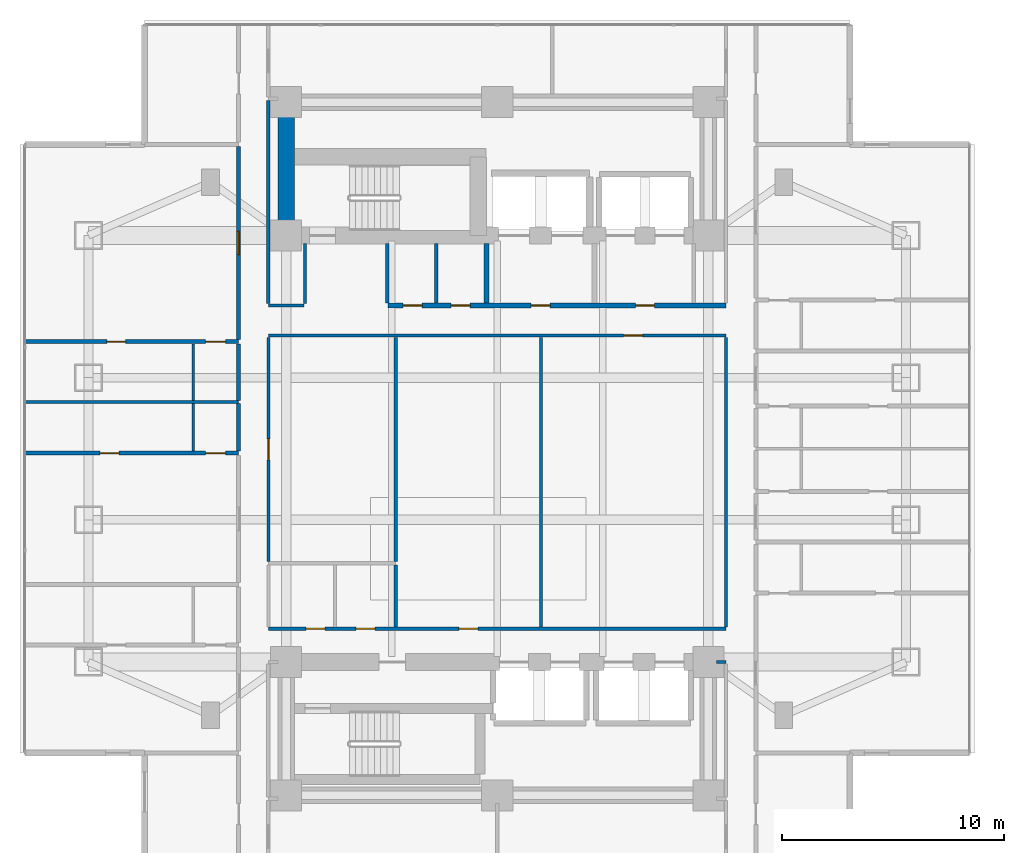
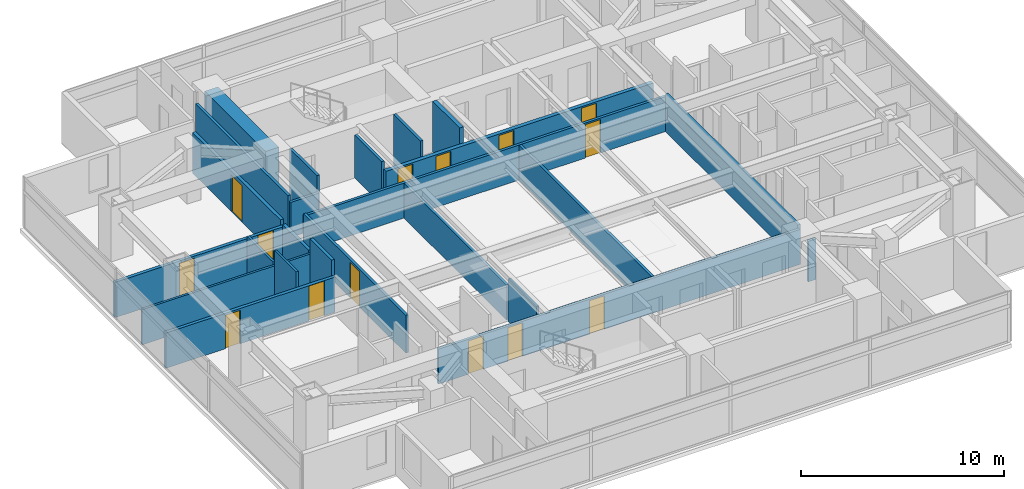
# One storey, part 13 of 26: 24 walls, 14 doors, 14 openings.
"""IFC4 building model written with IfcOpenShell, lengths in metres."""

from ifc_helpers import new_model, si_unit, direction, frame, frame_2d, origin, place, context, subcontext, project, spatial, rectangle, extrude, material, layer, layer_set, type_object, element, fill, save


model = new_model("IFC4")

# Units and contexts
model_context = context("Model", 3, precision=1e-05, world=origin(), true_north=direction((0.0, 1.0)))
body_context = subcontext(model_context, "Body", "Model", "MODEL_VIEW")
ifc_project = project(units=[si_unit("LENGTHUNIT", "METRE"), si_unit("AREAUNIT", "SQUARE_METRE"), si_unit("VOLUMEUNIT", "CUBIC_METRE"), si_unit("PLANEANGLEUNIT", "RADIAN"), si_unit("MASSUNIT", "GRAM", prefix="KILO")], contexts=[model_context])

# Site, building, storey
site_placement = place(None, origin())
site = spatial("IfcSite", under=ifc_project, at=site_placement, CompositionType="ELEMENT")
building_placement = place(site_placement, origin())
building = spatial("IfcBuilding", under=site, at=building_placement, Name="Mirazonda Arch Towers", CompositionType="ELEMENT")
storey_placement = place(building_placement, frame((0.0, 0.0, 25.699951171875)))
storey = spatial("IfcBuildingStorey", under=building, at=storey_placement, Name="L06", CompositionType="ELEMENT", Elevation=25.699951171875)

# Wall
ifc_material_1 = material(Name="Concrete C60/75", Category="concrete")
ifc_layer_1 = layer(ifc_material_1, 0.75, Name="WALL-CORE-750")
ifc_layer_set_1 = layer_set([ifc_layer_1], Name="Concrete C60/75")
wall_type_1 = type_object("IfcWallType", Name="WALL-CORE-750", PredefinedType="SHEAR", material=ifc_layer_set_1)
wall_1_placement = place(storey_placement, frame((11.0, 37.60009765625, 0.0), z_axis=(0.0, 0.0, 1.0), x_axis=(0.0, 1.0, 0.0)))
element("IfcWall", 1, at=wall_1_placement, inside=storey, type_object=wall_type_1, Name="L06 T1N-W Core Shear Wall", PredefinedType="SHEAR", context=body_context, shape_type="SweptSolid", body=[
    extrude(rectangle(XDim=6.0, YDim=0.75, at=frame_2d((3.0, 0.0))), origin(), (0.0, 0.0, 1.0), 3.06005859375),
])

# Wall, openings, doors
ifc_material_2 = material(Name="Concrete C40/50", Category="concrete")
ifc_layer_2 = layer(ifc_material_2, 0.219970703125, Name="WALL-FFL-220")
ifc_layer_set_2 = layer_set([ifc_layer_2], Name="Concrete C40/50")
wall_type_2 = type_object("IfcWallType", Name="WALL-FFL-220", PredefinedType="SOLIDWALL", material=ifc_layer_set_2)
wall_2_placement = place(storey_placement, frame((15.590087890625, 34.449951171875, 0.0), z_axis=(0.0, 0.0, 1.0), x_axis=(1.0, 0.0, 0.0)))
wall_2 = element("IfcWall", 2, at=wall_2_placement, inside=storey, type_object=wall_type_2, Name="L06 Interior Partition 047", PredefinedType="SOLIDWALL", context=body_context, shape_type="SweptSolid", body=[
    extrude(rectangle(XDim=15.2099609375, YDim=0.219970703125, at=frame_2d((7.60498046875, 0.0))), origin(), (0.0, 0.0, 1.0), 2.10400390625),
])
opening_1_placement = place(wall_2_placement, frame((6.43505859375, 0.0, 0.0)))
opening_1 = element("IfcOpeningElement", 3, at=opening_1_placement, cuts=wall_2, Name="Opening DR-128", PredefinedType="OPENING", context=body_context, shape_type="SweptSolid", body=[
    extrude(rectangle(XDim=0.85009765625, YDim=2.010009765625, at=frame_2d((0.425048828125, 1.0048828125))), frame((0.0, 0.119873046875, 0.0), z_axis=(0.0, -1.0, 0.0), x_axis=(1.0, 0.0, 0.0)), (0.0, 0.0, 1.0), 0.239990234375),
])
opening_2_placement = place(wall_2_placement, frame((11.135009765625, 0.0, 0.0)))
opening_2 = element("IfcOpeningElement", 4, at=opening_2_placement, cuts=wall_2, Name="Opening DR-128", PredefinedType="OPENING", context=body_context, shape_type="SweptSolid", body=[
    extrude(rectangle(XDim=0.85009765625, YDim=2.010009765625, at=frame_2d((0.425048828125, 1.0048828125))), frame((0.0, 0.119873046875, 0.0), z_axis=(0.0, -1.0, 0.0), x_axis=(1.0, 0.0, 0.0)), (0.0, 0.0, 1.0), 0.239990234375),
])
opening_3_placement = place(wall_2_placement, frame((0.675048828125, 0.0, 0.0)))
opening_3 = element("IfcOpeningElement", 5, at=opening_3_placement, cuts=wall_2, Name="Opening DR-128", PredefinedType="OPENING", context=body_context, shape_type="SweptSolid", body=[
    extrude(rectangle(XDim=0.85009765625, YDim=2.010009765625, at=frame_2d((0.425048828125, 1.0048828125))), frame((0.0, 0.119873046875, 0.0), z_axis=(0.0, -1.0, 0.0), x_axis=(1.0, 0.0, 0.0)), (0.0, 0.0, 1.0), 0.239990234375),
])
opening_4_placement = place(wall_2_placement, frame((2.8349609375, 0.0, 0.0)))
opening_4 = element("IfcOpeningElement", 6, at=opening_4_placement, cuts=wall_2, Name="Opening DR-128", PredefinedType="OPENING", context=body_context, shape_type="SweptSolid", body=[
    extrude(rectangle(XDim=0.85009765625, YDim=2.010009765625, at=frame_2d((0.425048828125, 1.0048828125))), frame((0.0, 0.119873046875, 0.0), z_axis=(0.0, -1.0, 0.0), x_axis=(1.0, 0.0, 0.0)), (0.0, 0.0, 1.0), 0.239990234375),
])
ifc_material_3 = material(Name="Architectural Brushed Steel S355", Category="steel")
door_type_1 = type_object("IfcDoorType", Name="DOOR-RISER-FD60-850", OperationType="NOTDEFINED", PredefinedType="DOOR", material=ifc_material_3)
door_1_placement = place(opening_1_placement, origin())
door_1 = element("IfcDoor", 7, at=door_1_placement, inside=storey, type_object=door_type_1, Name="L06 Firefighting Lift Lobby Door", OperationType="SINGLE_SWING_RIGHT", OverallHeight=2.010009765625, OverallWidth=0.85009765625, PredefinedType="DOOR", context=body_context, shape_type="SweptSolid", body=[
    extrude(rectangle(XDim=0.85009765625, YDim=2.010009765625, at=frame_2d((0.425048828125, 1.0048828125))), frame((0.0, 0.02490234375, 0.0), z_axis=(0.0, -1.0, 0.0), x_axis=(1.0, 0.0, 0.0)), (0.0, 0.0, 1.0), 0.050048828125),
])
fill(opening_1, door_1)
door_2_placement = place(opening_2_placement, origin())
door_2 = element("IfcDoor", 8, at=door_2_placement, inside=storey, type_object=door_type_1, Name="L06 Passenger Lift Lobby North Door", OperationType="SINGLE_SWING_LEFT", OverallHeight=2.010009765625, OverallWidth=0.85009765625, PredefinedType="DOOR", context=body_context, shape_type="SweptSolid", body=[
    extrude(rectangle(XDim=0.85009765625, YDim=2.010009765625, at=frame_2d((0.425048828125, 1.0048828125))), frame((0.0, 0.02490234375, 0.0), z_axis=(0.0, -1.0, 0.0), x_axis=(1.0, 0.0, 0.0)), (0.0, 0.0, 1.0), 0.050048828125),
])
fill(opening_2, door_2)
door_3_placement = place(opening_3_placement, origin())
door_3 = element("IfcDoor", 9, at=door_3_placement, inside=storey, type_object=door_type_1, Name="L06 Electrical Room Door", OperationType="SINGLE_SWING_RIGHT", OverallHeight=2.010009765625, OverallWidth=0.85009765625, PredefinedType="DOOR", context=body_context, shape_type="SweptSolid", body=[
    extrude(rectangle(XDim=0.85009765625, YDim=2.010009765625, at=frame_2d((0.425048828125, 1.0048828125))), frame((0.0, 0.02490234375, 0.0), z_axis=(0.0, -1.0, 0.0), x_axis=(1.0, 0.0, 0.0)), (0.0, 0.0, 1.0), 0.050048828125),
])
fill(opening_3, door_3)
door_4_placement = place(opening_4_placement, origin())
door_4 = element("IfcDoor", 10, at=door_4_placement, inside=storey, type_object=door_type_1, Name="L06 Cleaners & Housekeeping Store Door", OperationType="SINGLE_SWING_LEFT", OverallHeight=2.010009765625, OverallWidth=0.85009765625, PredefinedType="DOOR", context=body_context, shape_type="SweptSolid", body=[
    extrude(rectangle(XDim=0.85009765625, YDim=2.010009765625, at=frame_2d((0.425048828125, 1.0048828125))), frame((0.0, 0.02490234375, 0.0), z_axis=(0.0, -1.0, 0.0), x_axis=(1.0, 0.0, 0.0)), (0.0, 0.0, 1.0), 0.050048828125),
])
fill(opening_4, door_4)

# Walls
wall_3_placement = place(storey_placement, frame((20.02490234375, 34.570068359375, 0.0), z_axis=(0.0, 0.0, 1.0), x_axis=(0.0, 1.0, 0.0)))
element("IfcWall", 11, at=wall_3_placement, inside=storey, type_object=wall_type_2, Name="L06 Interior Partition 087", PredefinedType="SOLIDWALL", context=body_context, shape_type="SweptSolid", body=[
    extrude(rectangle(XDim=2.659912109375, YDim=0.219970703125, at=frame_2d((1.330078125, 0.0))), origin(), (0.0, 0.0, 1.0), 3.06005859375),
])
ifc_material_4 = material(Name="Fire-Rated Gypsum Stud Partition")
ifc_layer_3 = layer(ifc_material_4, 0.14990234375, Name="WALL-PART-CORR-150")
ifc_layer_set_3 = layer_set([ifc_layer_3], Name="Fire-Rated Gypsum Stud Partition")
wall_type_3 = type_object("IfcWallType", Name="WALL-PART-CORR-150", PredefinedType="PARTITIONING", material=ifc_layer_set_3)
wall_4_placement = place(storey_placement, frame((30.3701171875, 18.39990234375, 0.0), z_axis=(0.0, 0.0, 1.0), x_axis=(1.0, 0.0, 0.0)))
element("IfcWall", 12, at=wall_4_placement, inside=storey, type_object=wall_type_3, Name="L06 Interior Partition 013", PredefinedType="PARTITIONING", context=body_context, shape_type="SweptSolid", body=[
    extrude(rectangle(XDim=0.429931640625, YDim=0.14990234375, at=frame_2d((0.21484375, 0.0))), origin(), (0.0, 0.0, 1.0), 2.43603515625),
])

# Wall, openings, doors
wall_5_placement = place(storey_placement, frame((10.199951171875, 19.89990234375, 0.0), z_axis=(0.0, 0.0, 1.0), x_axis=(1.0, 0.0, 0.0)))
wall_5 = element("IfcWall", 13, at=wall_5_placement, inside=storey, type_object=wall_type_3, Name="L06 Interior Partition 016", PredefinedType="PARTITIONING", context=body_context, shape_type="SweptSolid", body=[
    extrude(rectangle(XDim=20.60009765625, YDim=0.14990234375, at=frame_2d((10.300048828125, 0.0))), origin(), (0.0, 0.0, 1.0), 2.10400390625),
])
opening_5_placement = place(wall_5_placement, frame((1.695068359375, 0.0, 0.0)))
opening_5 = element("IfcOpeningElement", 14, at=opening_5_placement, cuts=wall_5, Name="Opening DR-128", PredefinedType="OPENING", context=body_context, shape_type="SweptSolid", body=[
    extrude(rectangle(XDim=0.85009765625, YDim=2.010009765625, at=frame_2d((0.425048828125, 1.0048828125))), frame((0.0, 0.0849609375, 0.0), z_axis=(0.0, -1.0, 0.0), x_axis=(1.0, 0.0, 0.0)), (0.0, 0.0, 1.0), 0.169921875),
])
opening_6_placement = place(wall_5_placement, frame((3.93994140625, 0.0, 0.0)))
opening_6 = element("IfcOpeningElement", 15, at=opening_6_placement, cuts=wall_5, Name="Opening DR-128", PredefinedType="OPENING", context=body_context, shape_type="SweptSolid", body=[
    extrude(rectangle(XDim=0.85009765625, YDim=2.010009765625, at=frame_2d((0.425048828125, 1.0048828125))), frame((0.0, 0.0849609375, 0.0), z_axis=(0.0, -1.0, 0.0), x_axis=(1.0, 0.0, 0.0)), (0.0, 0.0, 1.0), 0.169921875),
])
opening_7_placement = place(wall_5_placement, frame((8.576416015625, 0.0, 0.0)))
opening_7 = element("IfcOpeningElement", 16, at=opening_7_placement, cuts=wall_5, Name="Opening DR-128", PredefinedType="OPENING", context=body_context, shape_type="SweptSolid", body=[
    extrude(rectangle(XDim=0.85009765625, YDim=2.010009765625, at=frame_2d((0.425048828125, 1.0048828125))), frame((0.0, 0.0849609375, 0.0), z_axis=(0.0, -1.0, 0.0), x_axis=(1.0, 0.0, 0.0)), (0.0, 0.0, 1.0), 0.169921875),
])
door_5_placement = place(opening_5_placement, origin())
door_5 = element("IfcDoor", 17, at=door_5_placement, inside=storey, type_object=door_type_1, Name="L06 Common Accessible WC Door", OperationType="SINGLE_SWING_RIGHT", OverallHeight=2.010009765625, OverallWidth=0.85009765625, PredefinedType="DOOR", context=body_context, shape_type="SweptSolid", body=[
    extrude(rectangle(XDim=0.85009765625, YDim=2.010009765625, at=frame_2d((0.425048828125, 1.0048828125))), frame((0.0, 0.02490234375, 0.0), z_axis=(0.0, -1.0, 0.0), x_axis=(1.0, 0.0, 0.0)), (0.0, 0.0, 1.0), 0.050048828125),
])
fill(opening_5, door_5)
door_6_placement = place(opening_6_placement, origin())
door_6 = element("IfcDoor", 18, at=door_6_placement, inside=storey, type_object=door_type_1, Name="L06 L06 West Courtyard Study Door", OperationType="SINGLE_SWING_RIGHT", OverallHeight=2.010009765625, OverallWidth=0.85009765625, PredefinedType="DOOR", context=body_context, shape_type="SweptSolid", body=[
    extrude(rectangle(XDim=0.85009765625, YDim=2.010009765625, at=frame_2d((0.425048828125, 1.0048828125))), frame((0.0, 0.02490234375, 0.0), z_axis=(0.0, -1.0, 0.0), x_axis=(1.0, 0.0, 0.0)), (0.0, 0.0, 1.0), 0.050048828125),
])
fill(opening_6, door_6)
door_7_placement = place(opening_7_placement, origin())
door_7 = element("IfcDoor", 19, at=door_7_placement, inside=storey, type_object=door_type_1, Name="L06 Executive Club Lounge Door", OperationType="SINGLE_SWING_RIGHT", OverallHeight=2.010009765625, OverallWidth=0.85009765625, PredefinedType="DOOR", context=body_context, shape_type="SweptSolid", body=[
    extrude(rectangle(XDim=0.85009765625, YDim=2.010009765625, at=frame_2d((0.425048828125, 1.0048828125))), frame((0.0, 0.02490234375, 0.0), z_axis=(0.0, -1.0, 0.0), x_axis=(1.0, 0.0, 0.0)), (0.0, 0.0, 1.0), 0.050048828125),
])
fill(opening_7, door_7)

# Wall, opening, door
wall_6_placement = place(storey_placement, frame((10.199951171875, 33.10009765625, 0.0), z_axis=(0.0, 0.0, 1.0), x_axis=(1.0, 0.0, 0.0)))
wall_6 = element("IfcWall", 20, at=wall_6_placement, inside=storey, type_object=wall_type_3, Name="L06 Interior Partition 045", PredefinedType="PARTITIONING", context=body_context, shape_type="SweptSolid", body=[
    extrude(rectangle(XDim=20.60009765625, YDim=0.14990234375, at=frame_2d((10.300048828125, 0.0))), origin(), (0.0, 0.0, 1.0), 2.10400390625),
])
opening_8_placement = place(wall_6_placement, frame((15.991455078125, 0.0, 0.0)))
opening_8 = element("IfcOpeningElement", 21, at=opening_8_placement, cuts=wall_6, Name="Opening DR-128", PredefinedType="OPENING", context=body_context, shape_type="SweptSolid", body=[
    extrude(rectangle(XDim=0.85009765625, YDim=2.010009765625, at=frame_2d((0.425048828125, 1.0048828125))), frame((0.0, 0.0849609375, 0.0), z_axis=(0.0, -1.0, 0.0), x_axis=(1.0, 0.0, 0.0)), (0.0, 0.0, 1.0), 0.169921875),
])
door_8_placement = place(opening_8_placement, origin())
door_8 = element("IfcDoor", 22, at=door_8_placement, inside=storey, type_object=door_type_1, Name="L06 Business Reading Study Door", OperationType="SINGLE_SWING_LEFT", OverallHeight=2.010009765625, OverallWidth=0.85009765625, PredefinedType="DOOR", context=body_context, shape_type="SweptSolid", body=[
    extrude(rectangle(XDim=0.85009765625, YDim=2.010009765625, at=frame_2d((0.425048828125, 1.0048828125))), frame((0.0, 0.02490234375, 0.0), z_axis=(0.0, -1.0, 0.0), x_axis=(1.0, 0.0, 0.0)), (0.0, 0.0, 1.0), 0.050048828125),
])
fill(opening_8, door_8)

# Wall
wall_7_placement = place(storey_placement, frame((10.199951171875, 34.449951171875, 0.0), z_axis=(0.0, 0.0, 1.0), x_axis=(1.0, 0.0, 0.0)))
element("IfcWall", 23, at=wall_7_placement, inside=storey, type_object=wall_type_3, Name="L06 Interior Partition 046", PredefinedType="PARTITIONING", context=body_context, shape_type="SweptSolid", body=[
    extrude(rectangle(XDim=1.60009765625, YDim=0.14990234375, at=frame_2d((0.800048828125, 0.0))), origin(), (0.0, 0.0, 1.0), 2.10400390625),
])

# Wall, opening, door
wall_8_placement = place(storey_placement, frame((10.206787109375, 22.93505859375, 0.0), z_axis=(0.0, 0.0, 1.0), x_axis=(0.0, 1.0, 0.0)))
wall_8 = element("IfcWall", 24, at=wall_8_placement, inside=storey, type_object=wall_type_3, Name="L06 Interior Partition 077", PredefinedType="PARTITIONING", context=body_context, shape_type="SweptSolid", body=[
    extrude(rectangle(XDim=10.079833984375, YDim=0.14990234375, at=frame_2d((5.0400390625, 0.0))), origin(), (0.0, 0.0, 1.0), 2.279052734375),
])
opening_9_placement = place(wall_8_placement, frame((4.56494140625, 0.0, 0.0)))
opening_9 = element("IfcOpeningElement", 25, at=opening_9_placement, cuts=wall_8, Name="Opening DR-104", PredefinedType="OPENING", context=body_context, shape_type="SweptSolid", body=[
    extrude(rectangle(XDim=0.949951171875, YDim=2.14990234375, at=frame_2d((0.47509765625, 1.074951171875))), frame((0.0, 0.0849609375, 0.0), z_axis=(0.0, -1.0, 0.0), x_axis=(1.0, 0.0, 0.0)), (0.0, 0.0, 1.0), 0.169921875),
])
door_type_2 = type_object("IfcDoorType", Name="DOOR-ROOM-950", OperationType="NOTDEFINED", PredefinedType="DOOR", material=ifc_material_3)
door_9_placement = place(opening_9_placement, origin())
door_9 = element("IfcDoor", 26, at=door_9_placement, inside=storey, type_object=door_type_2, Name="L06 L06 West Courtyard Salon Door", OperationType="SINGLE_SWING_LEFT", OverallHeight=2.14990234375, OverallWidth=0.949951171875, PredefinedType="DOOR", context=body_context, shape_type="SweptSolid", body=[
    extrude(rectangle(XDim=0.949951171875, YDim=2.14990234375, at=frame_2d((0.47509765625, 1.074951171875))), frame((0.0, 0.02490234375, 0.0), z_axis=(0.0, -1.0, 0.0), x_axis=(1.0, 0.0, 0.0)), (0.0, 0.0, 1.0), 0.050048828125),
])
fill(opening_9, door_9)

# Walls
wall_9_placement = place(storey_placement, frame((10.199951171875, 34.534912109375, 0.0), z_axis=(0.0, 0.0, 1.0), x_axis=(0.0, 1.0, 0.0)))
element("IfcWall", 27, at=wall_9_placement, inside=storey, type_object=wall_type_3, Name="L06 Interior Partition 078", PredefinedType="PARTITIONING", context=body_context, shape_type="SweptSolid", body=[
    extrude(rectangle(XDim=9.130126953125, YDim=0.14990234375, at=frame_2d((4.56494140625, 0.0))), origin(), (0.0, 0.0, 1.0), 2.43603515625),
])
wall_10_placement = place(storey_placement, frame((11.85009765625, 34.534912109375, 0.0), z_axis=(0.0, 0.0, 1.0), x_axis=(0.0, 1.0, 0.0)))
element("IfcWall", 28, at=wall_10_placement, inside=storey, type_object=wall_type_3, Name="L06 Interior Partition 080", PredefinedType="PARTITIONING", context=body_context, shape_type="SweptSolid", body=[
    extrude(rectangle(XDim=2.695068359375, YDim=0.14990234375, at=frame_2d((1.34765625, 0.0))), origin(), (0.0, 0.0, 1.0), 3.06005859375),
])
wall_11_placement = place(storey_placement, frame((15.550048828125, 34.570068359375, 0.0), z_axis=(0.0, 0.0, 1.0), x_axis=(0.0, 1.0, 0.0)))
element("IfcWall", 29, at=wall_11_placement, inside=storey, type_object=wall_type_3, Name="L06 Interior Partition 082", PredefinedType="PARTITIONING", context=body_context, shape_type="SweptSolid", body=[
    extrude(rectangle(XDim=2.659912109375, YDim=0.14990234375, at=frame_2d((1.330078125, 0.0))), origin(), (0.0, 0.0, 1.0), 2.589111328125),
])
wall_12_placement = place(storey_placement, frame((15.929931640625, 19.985107421875, 0.0), z_axis=(0.0, 0.0, 1.0), x_axis=(0.0, 1.0, 0.0)))
element("IfcWall", 30, at=wall_12_placement, inside=storey, type_object=wall_type_3, Name="L06 Interior Partition 083", PredefinedType="PARTITIONING", context=body_context, shape_type="SweptSolid", body=[
    extrude(rectangle(XDim=2.77978515625, YDim=0.14990234375, at=frame_2d((1.389892578125, 0.0))), origin(), (0.0, 0.0, 1.0), 2.589111328125),
])
wall_13_placement = place(storey_placement, frame((15.929931640625, 22.93505859375, 0.0), z_axis=(0.0, 0.0, 1.0), x_axis=(0.0, 1.0, 0.0)))
element("IfcWall", 31, at=wall_13_placement, inside=storey, type_object=wall_type_3, Name="L06 Interior Partition 084", PredefinedType="PARTITIONING", context=body_context, shape_type="SweptSolid", body=[
    extrude(rectangle(XDim=10.079833984375, YDim=0.14990234375, at=frame_2d((5.0400390625, 0.0))), origin(), (0.0, 0.0, 1.0), 2.10400390625),
])
wall_14_placement = place(storey_placement, frame((17.75, 34.570068359375, 0.0), z_axis=(0.0, 0.0, 1.0), x_axis=(0.0, 1.0, 0.0)))
element("IfcWall", 32, at=wall_14_placement, inside=storey, type_object=wall_type_3, Name="L06 Interior Partition 085", PredefinedType="PARTITIONING", context=body_context, shape_type="SweptSolid", body=[
    extrude(rectangle(XDim=2.659912109375, YDim=0.14990234375, at=frame_2d((1.330078125, 0.0))), origin(), (0.0, 0.0, 1.0), 3.06005859375),
])
wall_15_placement = place(storey_placement, frame((22.472900390625, 19.985107421875, 0.0), z_axis=(0.0, 0.0, 1.0), x_axis=(0.0, 1.0, 0.0)))
element("IfcWall", 33, at=wall_15_placement, inside=storey, type_object=wall_type_3, Name="L06 Interior Partition 091", PredefinedType="PARTITIONING", context=body_context, shape_type="SweptSolid", body=[
    extrude(rectangle(XDim=13.02978515625, YDim=0.14990234375, at=frame_2d((6.514892578125, 0.0))), origin(), (0.0, 0.0, 1.0), 2.10400390625),
])
wall_16_placement = place(storey_placement, frame((30.800048828125, 19.985107421875, 0.0), z_axis=(0.0, 0.0, 1.0), x_axis=(0.0, 1.0, 0.0)))
element("IfcWall", 34, at=wall_16_placement, inside=storey, type_object=wall_type_3, Name="L06 Interior Partition 103", PredefinedType="PARTITIONING", context=body_context, shape_type="SweptSolid", body=[
    extrude(rectangle(XDim=13.02978515625, YDim=0.14990234375, at=frame_2d((6.514892578125, 0.0))), origin(), (0.0, 0.0, 1.0), 2.279052734375),
])

# Wall, openings, doors
ifc_material_5 = material(Name="Fire-Rated Gypsum Twin-Stud Assembly")
ifc_layer_4 = layer(ifc_material_5, 0.179931640625, Name="WALL-PART-DEMISE-180")
ifc_layer_set_4 = layer_set([ifc_layer_4], Name="Fire-Rated Gypsum Twin-Stud Assembly")
wall_type_4 = type_object("IfcWallType", Name="WALL-PART-DEMISE-180", PredefinedType="PARTITIONING", material=ifc_layer_set_4)
wall_17_placement = place(storey_placement, frame((-0.760009765625, 27.801025390625, 0.0), z_axis=(0.0, 0.0, 1.0), x_axis=(1.0, 0.0, 0.0)))
wall_17 = element("IfcWall", 35, at=wall_17_placement, inside=storey, type_object=wall_type_4, Name="L06 Interior Partition 033", PredefinedType="PARTITIONING", context=body_context, shape_type="SweptSolid", body=[
    extrude(rectangle(XDim=9.6201171875, YDim=0.179931640625, at=frame_2d((4.81005859375, 0.0))), origin(), (0.0, 0.0, 1.0), 2.125),
])
opening_10_placement = place(wall_17_placement, frame((3.385009765625, 0.0, 0.0)))
opening_10 = element("IfcOpeningElement", 36, at=opening_10_placement, cuts=wall_17, Name="Opening DR-128", PredefinedType="OPENING", context=body_context, shape_type="SweptSolid", body=[
    extrude(rectangle(XDim=0.85009765625, YDim=2.010009765625, at=frame_2d((0.425048828125, 1.0048828125))), frame((0.0, 0.099853515625, 0.0), z_axis=(0.0, -1.0, 0.0), x_axis=(1.0, 0.0, 0.0)), (0.0, 0.0, 1.0), 0.199951171875),
])
opening_11_placement = place(wall_17_placement, frame((8.1298828125, 0.0, 0.0)))
opening_11 = element("IfcOpeningElement", 37, at=opening_11_placement, cuts=wall_17, Name="Opening DR-120", PredefinedType="OPENING", context=body_context, shape_type="SweptSolid", body=[
    extrude(rectangle(XDim=0.89990234375, YDim=2.10009765625, at=frame_2d((0.449951171875, 1.050048828125))), frame((0.0, 0.099853515625, 0.0), z_axis=(0.0, -1.0, 0.0), x_axis=(1.0, 0.0, 0.0)), (0.0, 0.0, 1.0), 0.199951171875),
])
door_10_placement = place(opening_10_placement, origin())
door_10 = element("IfcDoor", 38, at=door_10_placement, inside=storey, type_object=door_type_1, Name="L06 Guestroom Study 2 Door", OperationType="SINGLE_SWING_LEFT", OverallHeight=2.010009765625, OverallWidth=0.85009765625, PredefinedType="DOOR", context=body_context, shape_type="SweptSolid", body=[
    extrude(rectangle(XDim=0.85009765625, YDim=2.010009765625, at=frame_2d((0.425048828125, 1.0048828125))), frame((0.0, 0.02490234375, 0.0), z_axis=(0.0, -1.0, 0.0), x_axis=(1.0, 0.0, 0.0)), (0.0, 0.0, 1.0), 0.050048828125),
])
fill(opening_10, door_10)
door_type_3 = type_object("IfcDoorType", Name="DOOR-WC-900", OperationType="NOTDEFINED", PredefinedType="DOOR", material=ifc_material_3)
door_11_placement = place(opening_11_placement, origin())
door_11 = element("IfcDoor", 39, at=door_11_placement, inside=storey, type_object=door_type_3, Name="L06 En-Suite Bathroom 2 Door", OperationType="SINGLE_SWING_RIGHT", OverallHeight=2.10009765625, OverallWidth=0.89990234375, PredefinedType="DOOR", context=body_context, shape_type="SweptSolid", body=[
    extrude(rectangle(XDim=0.89990234375, YDim=2.10009765625, at=frame_2d((0.449951171875, 1.050048828125))), frame((0.0, 0.02490234375, 0.0), z_axis=(0.0, -1.0, 0.0), x_axis=(1.0, 0.0, 0.0)), (0.0, 0.0, 1.0), 0.050048828125),
])
fill(opening_11, door_11)

wall_18_placement = place(storey_placement, frame((-0.760009765625, 32.821044921875, 0.0), z_axis=(0.0, 0.0, 1.0), x_axis=(1.0, 0.0, 0.0)))
wall_18 = element("IfcWall", 40, at=wall_18_placement, inside=storey, type_object=wall_type_4, Name="L06 Interior Partition 044", PredefinedType="PARTITIONING", context=body_context, shape_type="SweptSolid", body=[
    extrude(rectangle(XDim=9.6201171875, YDim=0.179931640625, at=frame_2d((4.81005859375, 0.0))), origin(), (0.0, 0.0, 1.0), 2.125),
])
opening_12_placement = place(wall_18_placement, frame((3.68505859375, 0.0, 0.0)))
opening_12 = element("IfcOpeningElement", 41, at=opening_12_placement, cuts=wall_18, Name="Opening DR-128", PredefinedType="OPENING", context=body_context, shape_type="SweptSolid", body=[
    extrude(rectangle(XDim=0.85009765625, YDim=2.010009765625, at=frame_2d((0.425048828125, 1.0048828125))), frame((0.0, 0.099853515625, 0.0), z_axis=(0.0, -1.0, 0.0), x_axis=(1.0, 0.0, 0.0)), (0.0, 0.0, 1.0), 0.199951171875),
])
opening_13_placement = place(wall_18_placement, frame((8.1298828125, 0.0, 0.0)))
opening_13 = element("IfcOpeningElement", 42, at=opening_13_placement, cuts=wall_18, Name="Opening DR-120", PredefinedType="OPENING", context=body_context, shape_type="SweptSolid", body=[
    extrude(rectangle(XDim=0.89990234375, YDim=2.10009765625, at=frame_2d((0.449951171875, 1.050048828125))), frame((0.0, 0.099853515625, 0.0), z_axis=(0.0, -1.0, 0.0), x_axis=(1.0, 0.0, 0.0)), (0.0, 0.0, 1.0), 0.199951171875),
])
door_12_placement = place(opening_12_placement, origin())
door_12 = element("IfcDoor", 43, at=door_12_placement, inside=storey, type_object=door_type_1, Name="L06 Suite Bedroom 3 Door", OperationType="SINGLE_SWING_RIGHT", OverallHeight=2.010009765625, OverallWidth=0.85009765625, PredefinedType="DOOR", context=body_context, shape_type="SweptSolid", body=[
    extrude(rectangle(XDim=0.85009765625, YDim=2.010009765625, at=frame_2d((0.425048828125, 1.0048828125))), frame((0.0, 0.02490234375, 0.0), z_axis=(0.0, -1.0, 0.0), x_axis=(1.0, 0.0, 0.0)), (0.0, 0.0, 1.0), 0.050048828125),
])
fill(opening_12, door_12)
door_13_placement = place(opening_13_placement, origin())
door_13 = element("IfcDoor", 44, at=door_13_placement, inside=storey, type_object=door_type_3, Name="L06 Suite En-Suite Bathroom 3 Door", OperationType="SINGLE_SWING_LEFT", OverallHeight=2.10009765625, OverallWidth=0.89990234375, PredefinedType="DOOR", context=body_context, shape_type="SweptSolid", body=[
    extrude(rectangle(XDim=0.89990234375, YDim=2.10009765625, at=frame_2d((0.449951171875, 1.050048828125))), frame((0.0, 0.02490234375, 0.0), z_axis=(0.0, -1.0, 0.0), x_axis=(1.0, 0.0, 0.0)), (0.0, 0.0, 1.0), 0.050048828125),
])
fill(opening_13, door_13)

# Walls
wall_19_placement = place(storey_placement, frame((8.860107421875, 27.90087890625, 0.0), z_axis=(0.0, 0.0, 1.0), x_axis=(0.0, 1.0, 0.0)))
element("IfcWall", 45, at=wall_19_placement, inside=storey, type_object=wall_type_4, Name="L06 Interior Partition 070", PredefinedType="PARTITIONING", context=body_context, shape_type="SweptSolid", body=[
    extrude(rectangle(XDim=2.127685546875, YDim=0.179931640625, at=frame_2d((1.06396484375, 0.0))), origin(), (0.0, 0.0, 1.0), 3.06005859375),
])
wall_20_placement = place(storey_placement, frame((8.860107421875, 30.173583984375, 0.0), z_axis=(0.0, 0.0, 1.0), x_axis=(0.0, 1.0, 0.0)))
element("IfcWall", 46, at=wall_20_placement, inside=storey, type_object=wall_type_4, Name="L06 Interior Partition 071", PredefinedType="PARTITIONING", context=body_context, shape_type="SweptSolid", body=[
    extrude(rectangle(XDim=2.54736328125, YDim=0.179931640625, at=frame_2d((1.273681640625, 0.0))), origin(), (0.0, 0.0, 1.0), 2.279052734375),
])

# Wall, opening, door
wall_21_placement = place(storey_placement, frame((8.860107421875, 32.9208984375, 0.0), z_axis=(0.0, 0.0, 1.0), x_axis=(0.0, 1.0, 0.0)))
wall_21 = element("IfcWall", 47, at=wall_21_placement, inside=storey, type_object=wall_type_4, Name="L06 Interior Partition 072", PredefinedType="PARTITIONING", context=body_context, shape_type="SweptSolid", body=[
    extrude(rectangle(XDim=8.677001953125, YDim=0.179931640625, at=frame_2d((4.33837890625, 0.0))), origin(), (0.0, 0.0, 1.0), 2.43603515625),
])
opening_14_placement = place(wall_21_placement, frame((3.8134765625, 0.0, 0.0)))
opening_14 = element("IfcOpeningElement", 48, at=opening_14_placement, cuts=wall_21, Name="Opening DR-121", PredefinedType="OPENING", context=body_context, shape_type="SweptSolid", body=[
    extrude(rectangle(XDim=1.050048828125, YDim=2.199951171875, at=frame_2d((0.52490234375, 1.10009765625))), frame((0.0, 0.099853515625, 0.0), z_axis=(0.0, -1.0, 0.0), x_axis=(1.0, 0.0, 0.0)), (0.0, 0.0, 1.0), 0.199951171875),
])
door_type_4 = type_object("IfcDoorType", Name="DOOR-SUITE-FD60-1050", OperationType="NOTDEFINED", PredefinedType="DOOR", material=ifc_material_3)
door_14_placement = place(opening_14_placement, origin())
door_14 = element("IfcDoor", 49, at=door_14_placement, inside=storey, type_object=door_type_4, Name="L06 Presidential Hotel Suite 3 Door", OperationType="SINGLE_SWING_LEFT", OverallHeight=2.199951171875, OverallWidth=1.050048828125, PredefinedType="DOOR", context=body_context, shape_type="SweptSolid", body=[
    extrude(rectangle(XDim=1.050048828125, YDim=2.199951171875, at=frame_2d((0.52490234375, 1.10009765625))), frame((0.0, 0.02490234375, 0.0), z_axis=(0.0, -1.0, 0.0), x_axis=(1.0, 0.0, 0.0)), (0.0, 0.0, 1.0), 0.050048828125),
])
fill(opening_14, door_14)

# Walls
ifc_material_6 = material(Name="Acoustic Fire-Rated Gypsum Partition")
ifc_layer_5 = layer(ifc_material_6, 0.125, Name="WALL-PART-UNIT-125")
ifc_layer_set_5 = layer_set([ifc_layer_5], Name="Acoustic Fire-Rated Gypsum Partition")
wall_type_5 = type_object("IfcWallType", Name="WALL-PART-UNIT-125", PredefinedType="PARTITIONING", material=ifc_layer_set_5)
wall_22_placement = place(storey_placement, frame((-0.760009765625, 30.10107421875, 0.0), z_axis=(0.0, 0.0, 1.0), x_axis=(1.0, 0.0, 0.0)))
element("IfcWall", 50, at=wall_22_placement, inside=storey, type_object=wall_type_5, Name="L06 Interior Partition 038", PredefinedType="PARTITIONING", context=body_context, shape_type="SweptSolid", body=[
    extrude(rectangle(XDim=9.6201171875, YDim=0.125, at=frame_2d((4.81005859375, 0.0))), origin(), (0.0, 0.0, 1.0), 2.125),
])
wall_23_placement = place(storey_placement, frame((6.820068359375, 27.90087890625, 0.0), z_axis=(0.0, 0.0, 1.0), x_axis=(0.0, 1.0, 0.0)))
element("IfcWall", 51, at=wall_23_placement, inside=storey, type_object=wall_type_5, Name="L06 Interior Partition 064", PredefinedType="PARTITIONING", context=body_context, shape_type="SweptSolid", body=[
    extrude(rectangle(XDim=2.127685546875, YDim=0.125, at=frame_2d((1.06396484375, 0.0))), origin(), (0.0, 0.0, 1.0), 3.06005859375),
])
wall_24_placement = place(storey_placement, frame((6.820068359375, 30.173583984375, 0.0), z_axis=(0.0, 0.0, 1.0), x_axis=(0.0, 1.0, 0.0)))
element("IfcWall", 52, at=wall_24_placement, inside=storey, type_object=wall_type_5, Name="L06 Interior Partition 065", PredefinedType="PARTITIONING", context=body_context, shape_type="SweptSolid", body=[
    extrude(rectangle(XDim=2.54736328125, YDim=0.125, at=frame_2d((1.273681640625, 0.0))), origin(), (0.0, 0.0, 1.0), 2.279052734375),
])

save(model, "model.ifc")
